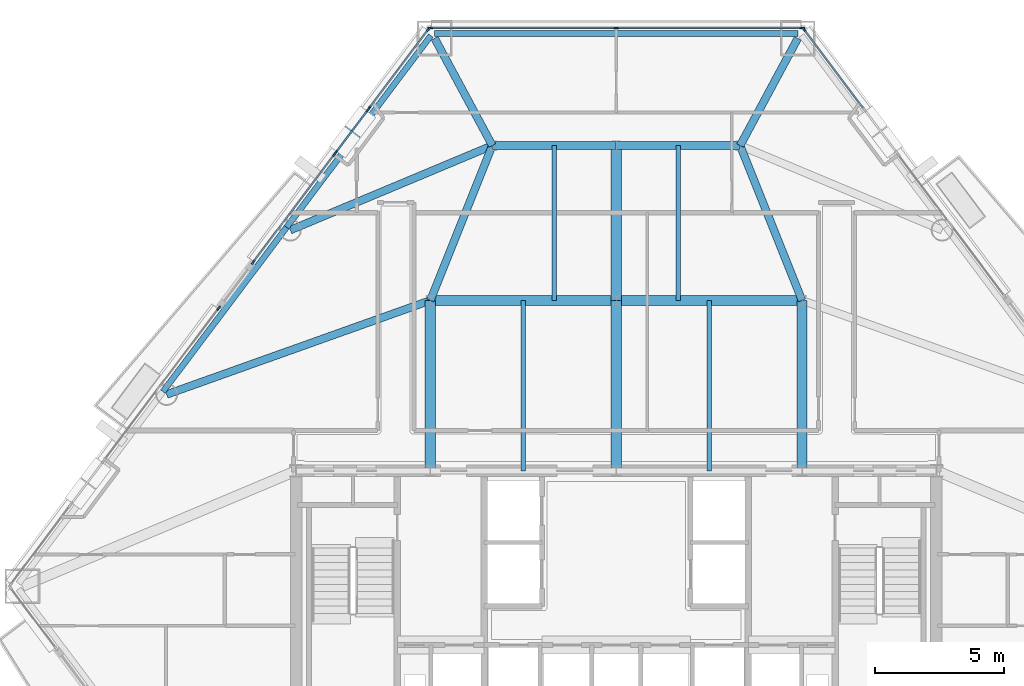
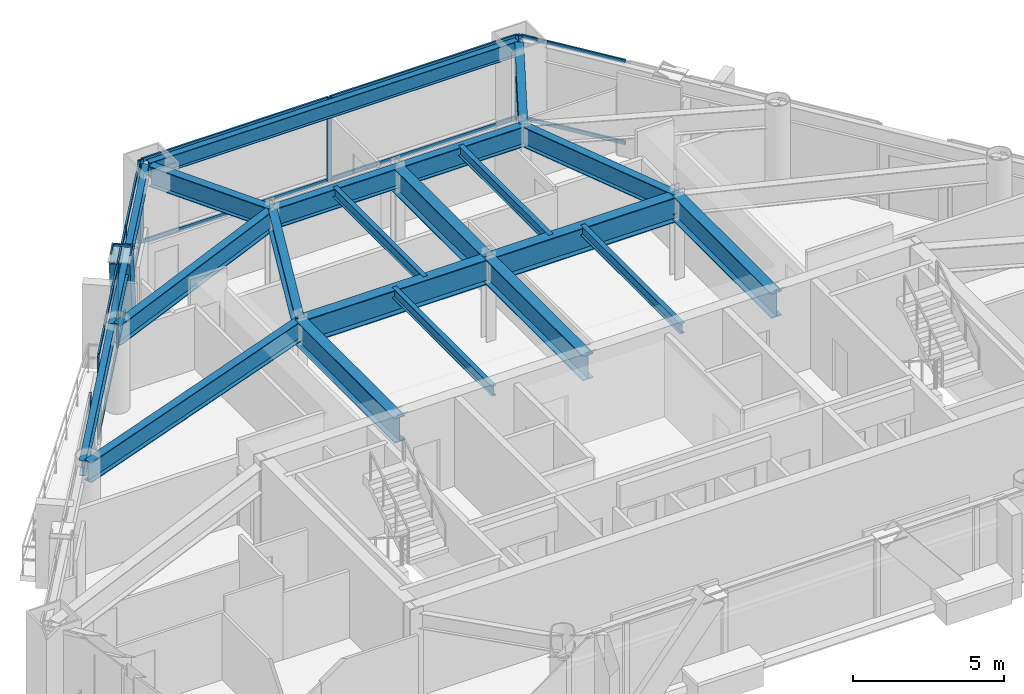
# One storey, part 3 of 11: 24 members, 21 beams, 6 elements without a shape of their own.
"""IFC4 building model written with IfcOpenShell, lengths in metres."""

from ifc_helpers import new_model, si_unit, direction, frame, origin, origin_2d, place, context, subcontext, project, spatial, rectangle, hollow_rectangle, i_section, extrude, material, layer, layer_set, material_profile, profile_set, type_object, element, aggregate, save


model = new_model("IFC4")

# Units and contexts
model_context = context("Model", 3, precision=1e-05, world=origin(), true_north=direction((0.0, 1.0)))
body_context = subcontext(model_context, "Body", "Model", "MODEL_VIEW")
ifc_project = project(units=[si_unit("LENGTHUNIT", "METRE"), si_unit("AREAUNIT", "SQUARE_METRE"), si_unit("VOLUMEUNIT", "CUBIC_METRE"), si_unit("PLANEANGLEUNIT", "RADIAN"), si_unit("MASSUNIT", "GRAM", prefix="KILO")], contexts=[model_context])

# Site, building, storey
site_placement = place(None, origin())
site = spatial("IfcSite", under=ifc_project, at=site_placement, CompositionType="ELEMENT")
building_placement = place(site_placement, origin())
building = spatial("IfcBuilding", under=site, at=building_placement, Name="Talgorran Terracotta Tower", CompositionType="ELEMENT")
storey_placement = place(building_placement, frame((0.0, 0.0, 68.39990234375)))
storey = spatial("IfcBuildingStorey", under=building, at=storey_placement, Name="L17", CompositionType="ELEMENT", Elevation=68.39990234375)

# Beams
ifc_material_1 = material(Name="Steel Grade 350 (350L0)", Category="steel")
ifc_material_profile_1 = material_profile(ifc_material_1, i_section(OverallWidth=0.39990234375, OverallDepth=1.0, WebThickness=0.01611328125, FlangeThickness=0.031005859375, at=origin_2d()), Name="1000WB296")
ifc_profile_set_1 = profile_set([ifc_material_profile_1], Name="Steel Grade 350 (350L0)")
beam_type_1 = type_object("IfcBeamType", Name="BM_1000WB296", PredefinedType="BEAM", material=ifc_profile_set_1)
for number, where, z_axis, x_axis, name in (
    (1, (-7.199951171875, -4.199951171875, 2.85009765625), (0.0, 1.0, 0.0), (-1.0, 0.0, 0.0), "L17 Floor Girder G01"),
    (2, (0.0, -4.199951171875, 2.85009765625), (0.0, 1.0, 0.0), (-1.0, 0.0, 0.0), "L17 Floor Girder G02"),
    (3, (7.199951171875, -4.199951171875, 2.85009765625), (0.0, 1.0, 0.0), (-1.0, 0.0, 0.0), "L17 Floor Girder G03"),
):
    element("IfcBeam", number, at=place(storey_placement, frame(where, z_axis=z_axis, x_axis=x_axis)), inside=storey, type_object=beam_type_1, Name=name, PredefinedType="BEAM", context=body_context, shape_type="SweptSolid", body=[
        extrude(i_section(OverallWidth=0.39990234375, OverallDepth=1.0, WebThickness=0.01611328125, FlangeThickness=0.031005859375, at=origin_2d()), origin(), (0.0, 0.0, 1.0), 6.599853515625),
    ])
for number, where, z_axis, x_axis, name in (
    (4, (-7.199951171875, 2.39990234375, 2.85009765625), (1.0, 0.0, 0.0), (0.0, 1.0, 0.0), "L17 Floor Girder G04"),
    (5, (0.0, 2.39990234375, 2.85009765625), (1.0, 0.0, 0.0), (0.0, 1.0, 0.0), "L17 Floor Girder G05"),
):
    element("IfcBeam", number, at=place(storey_placement, frame(where, z_axis=z_axis, x_axis=x_axis)), inside=storey, type_object=beam_type_1, Name=name, PredefinedType="BEAM", context=body_context, shape_type="SweptSolid", body=[
        extrude(i_section(OverallWidth=0.39990234375, OverallDepth=1.0, WebThickness=0.01611328125, FlangeThickness=0.031005859375, at=origin_2d()), origin(), (0.0, 0.0, 1.0), 7.199951171875),
    ])
beam_1_placement = place(storey_placement, frame((0.0, 2.39990234375, 2.85009765625), z_axis=(0.0, 1.0, 0.0), x_axis=(-1.0, 0.0, 0.0)))
element("IfcBeam", 6, at=beam_1_placement, inside=storey, type_object=beam_type_1, Name="L17 Floor Girder G09", PredefinedType="BEAM", context=body_context, shape_type="SweptSolid", body=[
    extrude(i_section(OverallWidth=0.39990234375, OverallDepth=1.0, WebThickness=0.01611328125, FlangeThickness=0.031005859375, at=origin_2d()), origin(), (0.0, 0.0, 1.0), 6.0),
])
ifc_material_2 = material(Name="Steel S355 (300PLUS)", Category="steel")
ifc_material_profile_2 = material_profile(ifc_material_2, i_section(OverallWidth=0.300048828125, OverallDepth=0.81591796875, WebThickness=0.013916015625, FlangeThickness=0.028076171875, at=origin_2d()), Name="800WB192")
ifc_profile_set_2 = profile_set([ifc_material_profile_2], Name="Steel S355 (300PLUS)")
beam_type_2 = type_object("IfcBeamType", Name="BM_800WB192", PredefinedType="BEAM", material=ifc_profile_set_2)
beam_2_placement = place(storey_placement, frame((-7.199951171875, 2.39990234375, 2.942138671875), z_axis=(-0.941876792617, -0.335958490783, 0.0), x_axis=(0.335958490783, -0.941876792617, 0.0)))
element("IfcBeam", 7, at=beam_2_placement, inside=storey, type_object=beam_type_2, Name="L17 Floor Girder G06", PredefinedType="BEAM", context=body_context, shape_type="SweptSolid", body=[
    extrude(i_section(OverallWidth=0.300048828125, OverallDepth=0.81591796875, WebThickness=0.013916015625, FlangeThickness=0.028076171875, at=origin_2d()), origin(), (0.0, 0.0, 1.0), 10.845947265625),
])
for number, where, z_axis, x_axis, name in (
    (8, (-7.199951171875, 2.39990234375, 2.942138671875), (0.371377648723, 0.928481901832, 0.0), (-0.928481901832, 0.371377648723, 0.0), "L17 Floor Girder G08"),
    (9, (7.199951171875, 2.39990234375, 2.942138671875), (-0.371377648723, 0.928481901832, 0.0), (-0.928481901832, -0.371377648723, 0.0), "L17 Floor Girder G10"),
):
    element("IfcBeam", number, at=place(storey_placement, frame(where, z_axis=z_axis, x_axis=x_axis)), inside=storey, type_object=beam_type_2, Name=name, PredefinedType="BEAM", context=body_context, shape_type="SweptSolid", body=[
        extrude(i_section(OverallWidth=0.300048828125, OverallDepth=0.81591796875, WebThickness=0.013916015625, FlangeThickness=0.028076171875, at=origin_2d()), origin(), (0.0, 0.0, 1.0), 6.462158203125),
    ])
for number, where, z_axis, x_axis, name in (
    (10, (-4.800048828125, 8.39990234375, 2.942138671875), (1.0, 0.0, 0.0), (0.0, 1.0, 0.0), "L17 Floor Girder G11"),
    (11, (0.0, 8.39990234375, 2.942138671875), (1.0, 0.0, 0.0), (0.0, 1.0, 0.0), "L17 Floor Girder G12"),
):
    element("IfcBeam", number, at=place(storey_placement, frame(where, z_axis=z_axis, x_axis=x_axis)), inside=storey, type_object=beam_type_2, Name=name, PredefinedType="BEAM", context=body_context, shape_type="SweptSolid", body=[
        extrude(i_section(OverallWidth=0.300048828125, OverallDepth=0.81591796875, WebThickness=0.013916015625, FlangeThickness=0.028076171875, at=origin_2d()), origin(), (0.0, 0.0, 1.0), 4.800048828125),
    ])
beam_3_placement = place(storey_placement, frame((-4.800048828125, 8.39990234375, 2.942138671875), z_axis=(-0.922404506717, -0.386225227023, 0.0), x_axis=(0.386225227023, -0.922404506717, 0.0)))
element("IfcBeam", 12, at=beam_3_placement, inside=storey, type_object=beam_type_2, Name="L17 Floor Girder G13", PredefinedType="BEAM", context=body_context, shape_type="SweptSolid", body=[
    extrude(i_section(OverallWidth=0.300048828125, OverallDepth=0.81591796875, WebThickness=0.013916015625, FlangeThickness=0.028076171875, at=origin_2d()), origin(), (0.0, 0.0, 1.0), 8.482421875),
])
for number, where, z_axis, x_axis, name in (
    (13, (-4.800048828125, 8.39990234375, 2.942138671875), (-0.473809593846, 0.880627315486, 0.0), (-0.880627315486, -0.473809593846, 0.0), "L17 Floor Girder G15"),
    (14, (4.800048828125, 8.39990234375, 2.942138671875), (0.473809593846, 0.880627315486, 0.0), (-0.880627315486, 0.473809593846, 0.0), "L17 Floor Girder G16"),
):
    element("IfcBeam", number, at=place(storey_placement, frame(where, z_axis=z_axis, x_axis=x_axis)), inside=storey, type_object=beam_type_2, Name=name, PredefinedType="BEAM", context=body_context, shape_type="SweptSolid", body=[
        extrude(i_section(OverallWidth=0.300048828125, OverallDepth=0.81591796875, WebThickness=0.013916015625, FlangeThickness=0.028076171875, at=origin_2d()), origin(), (0.0, 0.0, 1.0), 4.7158203125),
    ])
ifc_material_profile_3 = material_profile(ifc_material_2, i_section(OverallWidth=0.177734375, OverallDepth=0.406494140625, WebThickness=0.0078125, FlangeThickness=0.0126953125, at=origin_2d()), Name="410UB59.7")
ifc_profile_set_3 = profile_set([ifc_material_profile_3], Name="Steel S355 (300PLUS)")
beam_type_3 = type_object("IfcBeamType", Name="BM_JS_410UB60", PredefinedType="JOIST", material=ifc_profile_set_3)
for number, where, z_axis, x_axis, name in (
    (15, (-3.60009765625, -4.199951171875, 3.14697265625), (0.0, 1.0, 0.0), (-1.0, 0.0, 0.0), "L17 Secondary Joist J01"),
    (16, (3.60009765625, -4.199951171875, 3.14697265625), (0.0, 1.0, 0.0), (-1.0, 0.0, 0.0), "L17 Secondary Joist J02"),
):
    element("IfcBeam", number, at=place(storey_placement, frame(where, z_axis=z_axis, x_axis=x_axis)), inside=storey, type_object=beam_type_3, Name=name, PredefinedType="JOIST", context=body_context, shape_type="SweptSolid", body=[
        extrude(i_section(OverallWidth=0.177734375, OverallDepth=0.406494140625, WebThickness=0.0078125, FlangeThickness=0.0126953125, at=origin_2d()), origin(), (0.0, 0.0, 1.0), 6.599853515625),
    ])
for number, where, z_axis, x_axis, name in (
    (17, (-2.39990234375, 2.39990234375, 3.14697265625), (0.0, 1.0, 0.0), (-1.0, 0.0, 0.0), "L17 Secondary Joist J03"),
    (18, (2.39990234375, 2.39990234375, 3.14697265625), (0.0, 1.0, 0.0), (-1.0, 0.0, 0.0), "L17 Secondary Joist J04"),
):
    element("IfcBeam", number, at=place(storey_placement, frame(where, z_axis=z_axis, x_axis=x_axis)), inside=storey, type_object=beam_type_3, Name=name, PredefinedType="JOIST", context=body_context, shape_type="SweptSolid", body=[
        extrude(i_section(OverallWidth=0.177734375, OverallDepth=0.406494140625, WebThickness=0.0078125, FlangeThickness=0.0126953125, at=origin_2d()), origin(), (0.0, 0.0, 1.0), 6.0),
    ])
ifc_material_profile_4 = material_profile(ifc_material_2, i_section(OverallWidth=0.22900390625, OverallDepth=0.611572265625, WebThickness=0.011962890625, FlangeThickness=0.01953125, at=origin_2d()), Name="610UB125")
ifc_profile_set_4 = profile_set([ifc_material_profile_4], Name="Steel S355 (300PLUS)")
beam_type_4 = type_object("IfcBeamType", Name="BM_SP_610UB125", PredefinedType="SPANDREL", material=ifc_profile_set_4)
beam_4_placement = place(storey_placement, frame((7.034423828125, 12.73291015625, 3.044189453125), z_axis=(-1.0, 0.0, 0.0), x_axis=(0.0, -1.0, 0.0)))
element("IfcBeam", 19, at=beam_4_placement, inside=storey, type_object=beam_type_4, Name="L17 Perimeter Spandrel Beam MC5-MC6", PredefinedType="SPANDREL", context=body_context, shape_type="SweptSolid", body=[
    extrude(i_section(OverallWidth=0.22900390625, OverallDepth=0.611572265625, WebThickness=0.011962890625, FlangeThickness=0.01953125, at=origin_2d()), origin(), (0.0, 0.0, 1.0), 14.06884765625),
])
beam_5_placement = place(storey_placement, frame((-7.17822265625, 12.660888671875, 3.044189453125), z_axis=(-0.601247141496, -0.799063123191, 0.0), x_axis=(0.799063123191, -0.601247141496, 0.0)))
element("IfcBeam", 20, at=beam_5_placement, inside=storey, type_object=beam_type_4, Name="L17 Perimeter Spandrel Beam MC6-FC5", PredefinedType="SPANDREL", context=body_context, shape_type="SweptSolid", body=[
    extrude(i_section(OverallWidth=0.22900390625, OverallDepth=0.611572265625, WebThickness=0.011962890625, FlangeThickness=0.01953125, at=origin_2d()), origin(), (0.0, 0.0, 1.0), 9.297119140625),
])
beam_6_placement = place(storey_placement, frame((-12.76806640625, 5.23193359375, 3.044189453125), z_axis=(-0.601259066115, -0.799054150489, 0.0), x_axis=(0.799054150489, -0.601259066115, 0.0)))
element("IfcBeam", 21, at=beam_6_placement, inside=storey, type_object=beam_type_4, Name="L17 Perimeter Spandrel Beam FC5-FC6", PredefinedType="SPANDREL", context=body_context, shape_type="SweptSolid", body=[
    extrude(i_section(OverallWidth=0.22900390625, OverallDepth=0.611572265625, WebThickness=0.011962890625, FlangeThickness=0.01953125, at=origin_2d()), origin(), (0.0, 0.0, 1.0), 7.96875),
])

# Member
ifc_material_profile_5 = material_profile(ifc_material_1, hollow_rectangle(XDim=0.699951171875, YDim=0.89990234375, WallThickness=0.050048828125, at=origin_2d()), Name="WBOX900X700X50")
ifc_profile_set_5 = profile_set([ifc_material_profile_5], Name="Steel Grade 350 (350L0)")
member_type_1 = type_object("IfcMemberType", Name="MB_MEGA_900", PredefinedType="BRACE", material=ifc_profile_set_5)
member_1_placement = place(storey_placement, frame((-9.910400390625, 9.32958984375, -0.02490234375), z_axis=(-0.169547047501, -0.225350829897, 0.959411695857), x_axis=(0.799090303411, -0.601211017027, 0.0)))
element("IfcMember", 22, at=member_1_placement, inside=storey, type_object=member_type_1, Name="L17 Exterior Face Mega-Brace MB-1 (NWU)", PredefinedType="BRACE", context=body_context, shape_type="SweptSolid", body=[
    extrude(hollow_rectangle(XDim=0.699951171875, YDim=0.89990234375, WallThickness=0.050048828125, at=origin_2d()), origin(), (0.0, 0.0, 1.0), 3.543701171875),
])

# Curtain wall, member
ifc_material_3 = material(Name="Unitised Low-E Double Glazing", Category="glass")
ifc_layer = layer(ifc_material_3, 0.199951171875, Name="CW_SYS2_RES_LOW")
ifc_layer_set = layer_set([ifc_layer], Name="Unitised Low-E Double Glazing")
curtain_wall_type = type_object("IfcCurtainWallType", Name="CW_SYS2_RES_LOW", PredefinedType="NOTDEFINED", material=ifc_layer_set)
curtain_wall_1_placement = place(storey_placement, origin())
curtain_wall_1 = element("IfcCurtainWall", 23, at=curtain_wall_1_placement, inside=storey, type_object=curtain_wall_type, Name="CW-L17-F41C", PredefinedType="NOTDEFINED")
ifc_material_4 = material(Name="Architectural Aluminium 6063-T6", Category="aluminium")
ifc_material_profile_6 = material_profile(ifc_material_4, rectangle(XDim=0.06494140625, YDim=0.18505859375, at=origin_2d()), Name="CWM65X185")
ifc_profile_set_6 = profile_set([ifc_material_profile_6], Name="Architectural Aluminium 6063-T6")
member_type_2 = type_object("IfcMemberType", Name="MUL_65X185", PredefinedType="MULLION", material=ifc_profile_set_6)
member_2_placement = place(storey_placement, frame((7.277587890625, 12.894775390625, 0.0), z_axis=(0.0, 0.0, 1.0), x_axis=(-0.799061287146, -0.601249581609, 0.0)))
member_2 = element("IfcMember", 24, at=member_2_placement, type_object=member_type_2, Name="CW-L17-41C mullion 2", PredefinedType="MULLION", context=body_context, shape_type="SweptSolid", body=[
    extrude(rectangle(XDim=0.06494140625, YDim=0.18505859375, at=origin_2d()), origin(), (0.0, 0.0, 1.0), 3.35009765625),
])

# Curtain wall, members
curtain_wall_2_placement = place(storey_placement, origin())
curtain_wall_2 = element("IfcCurtainWall", 25, at=curtain_wall_2_placement, inside=storey, type_object=curtain_wall_type, Name="CW-L17-F4", PredefinedType="NOTDEFINED")
member_3_placement = place(storey_placement, frame((7.20166015625, 12.952880859375, 0.0), z_axis=(0.0, 0.0, 1.0), x_axis=(0.0, -1.0, 0.0)))
member_3 = element("IfcMember", 26, at=member_3_placement, type_object=member_type_2, Name="CW-L17-4 mullion 1", PredefinedType="MULLION", context=body_context, shape_type="SweptSolid", body=[
    extrude(rectangle(XDim=0.06494140625, YDim=0.18505859375, at=origin_2d()), origin(), (0.0, 0.0, 1.0), 3.35009765625),
])
member_4_placement = place(storey_placement, frame((0.0, 12.952880859375, 0.0), z_axis=(0.0, 0.0, 1.0), x_axis=(0.0, -1.0, 0.0)))
member_4 = element("IfcMember", 27, at=member_4_placement, type_object=member_type_2, Name="CW-L17-4 mullion 2", PredefinedType="MULLION", context=body_context, shape_type="SweptSolid", body=[
    extrude(rectangle(XDim=0.06494140625, YDim=0.18505859375, at=origin_2d()), origin(), (0.0, 0.0, 1.0), 3.35009765625),
])
member_5_placement = place(storey_placement, frame((-7.20166015625, 12.952880859375, 0.0), z_axis=(0.0, 0.0, 1.0), x_axis=(0.0, -1.0, 0.0)))
member_5 = element("IfcMember", 28, at=member_5_placement, type_object=member_type_2, Name="CW-L17-4 mullion 3", PredefinedType="MULLION", context=body_context, shape_type="SweptSolid", body=[
    extrude(rectangle(XDim=0.06494140625, YDim=0.18505859375, at=origin_2d()), origin(), (0.0, 0.0, 1.0), 3.35009765625),
])

curtain_wall_3_placement = place(storey_placement, origin())
curtain_wall_3 = element("IfcCurtainWall", 29, at=curtain_wall_3_placement, inside=storey, type_object=curtain_wall_type, Name="CW-L17-F60", PredefinedType="NOTDEFINED")
member_6_placement = place(storey_placement, frame((-7.277587890625, 12.894775390625, 0.0), z_axis=(0.0, 0.0, 1.0), x_axis=(0.799061287146, -0.601249581609, 0.0)))
member_6 = element("IfcMember", 30, at=member_6_placement, type_object=member_type_2, Name="CW-L17-60 mullion 1", PredefinedType="MULLION", context=body_context, shape_type="SweptSolid", body=[
    extrude(rectangle(XDim=0.06494140625, YDim=0.18505859375, at=origin_2d()), origin(), (0.0, 0.0, 1.0), 3.35009765625),
])
member_7_placement = place(storey_placement, frame((-9.56982421875, 9.848388671875, 0.0), z_axis=(0.0, 0.0, 1.0), x_axis=(0.799061287146, -0.601249581609, 0.0)))
member_7 = element("IfcMember", 31, at=member_7_placement, type_object=member_type_2, Name="CW-L17-60 mullion 2", PredefinedType="MULLION", context=body_context, shape_type="SweptSolid", body=[
    extrude(rectangle(XDim=0.06494140625, YDim=0.18505859375, at=origin_2d()), origin(), (0.0, 0.0, 1.0), 3.35009765625),
])

curtain_wall_4_placement = place(storey_placement, origin())
curtain_wall_4 = element("IfcCurtainWall", 32, at=curtain_wall_4_placement, inside=storey, type_object=curtain_wall_type, Name="CW-L17-F60B", PredefinedType="NOTDEFINED")
member_8_placement = place(storey_placement, frame((-9.614990234375, 9.78857421875, 0.0), z_axis=(0.0, 0.0, 1.0), x_axis=(0.79906266779, -0.601247746727, 0.0)))
member_8 = element("IfcMember", 33, at=member_8_placement, type_object=member_type_2, Name="CW-L17-60B mullion 1", PredefinedType="MULLION", context=body_context, shape_type="SweptSolid", body=[
    extrude(rectangle(XDim=0.06494140625, YDim=0.18505859375, at=origin_2d()), origin(), (0.0, 0.0, 1.0), 3.35009765625),
])
member_9_placement = place(storey_placement, frame((-10.870361328125, 8.1201171875, 0.0), z_axis=(0.0, 0.0, 1.0), x_axis=(0.79906266779, -0.601247746727, 0.0)))
member_9 = element("IfcMember", 34, at=member_9_placement, type_object=member_type_2, Name="CW-L17-60B mullion 2", PredefinedType="MULLION", context=body_context, shape_type="SweptSolid", body=[
    extrude(rectangle(XDim=0.06494140625, YDim=0.18505859375, at=origin_2d()), origin(), (0.0, 0.0, 1.0), 3.35009765625),
])

curtain_wall_5_placement = place(storey_placement, origin())
curtain_wall_5 = element("IfcCurtainWall", 35, at=curtain_wall_5_placement, inside=storey, type_object=curtain_wall_type, Name="CW-L17-F60C", PredefinedType="NOTDEFINED")
member_10_placement = place(storey_placement, frame((-10.91552734375, 8.06005859375, 0.0), z_axis=(0.0, 0.0, 1.0), x_axis=(0.799061570677, -0.601249204795, 0.0)))
member_10 = element("IfcMember", 36, at=member_10_placement, type_object=member_type_2, Name="CW-L17-60C mullion 1", PredefinedType="MULLION", context=body_context, shape_type="SweptSolid", body=[
    extrude(rectangle(XDim=0.06494140625, YDim=0.18505859375, at=origin_2d()), origin(), (0.0, 0.0, 1.0), 3.35009765625),
])
member_11_placement = place(storey_placement, frame((-14.062744140625, 3.87744140625, 0.0), z_axis=(0.0, 0.0, 1.0), x_axis=(0.799061570677, -0.601249204795, 0.0)))
member_11 = element("IfcMember", 37, at=member_11_placement, type_object=member_type_2, Name="CW-L17-60C mullion 2", PredefinedType="MULLION", context=body_context, shape_type="SweptSolid", body=[
    extrude(rectangle(XDim=0.06494140625, YDim=0.18505859375, at=origin_2d()), origin(), (0.0, 0.0, 1.0), 3.35009765625),
])

# Curtain wall, member
curtain_wall_6_placement = place(storey_placement, origin())
curtain_wall_6 = element("IfcCurtainWall", 38, at=curtain_wall_6_placement, inside=storey, type_object=curtain_wall_type, Name="CW-L17-F61", PredefinedType="NOTDEFINED")
member_12_placement = place(storey_placement, frame((-15.400390625, 2.099609375, 0.0), z_axis=(0.0, 0.0, 1.0), x_axis=(0.799068241229, -0.601240339514, 0.0)))
member_12 = element("IfcMember", 39, at=member_12_placement, type_object=member_type_2, Name="CW-L17-61 mullion 1", PredefinedType="MULLION", context=body_context, shape_type="SweptSolid", body=[
    extrude(rectangle(XDim=0.06494140625, YDim=0.18505859375, at=origin_2d()), origin(), (0.0, 0.0, 1.0), 3.35009765625),
])
aggregate(curtain_wall_6, [member_12])

# Member
ifc_material_profile_7 = material_profile(ifc_material_4, rectangle(XDim=0.06494140625, YDim=0.14990234375, at=origin_2d()), Name="CWT65X150")
ifc_profile_set_7 = profile_set([ifc_material_profile_7], Name="Architectural Aluminium 6063-T6")
member_type_3 = type_object("IfcMemberType", Name="TRN_65X150", PredefinedType="USERDEFINED", material=ifc_profile_set_7)
member_13_placement = place(storey_placement, frame((9.55029296875, 9.87451171875, 0.03271484375), z_axis=(-0.601260539811, 0.799053041585, 0.0), x_axis=(-0.799053041585, -0.601260539811, 0.0)))
member_13 = element("IfcMember", 40, at=member_13_placement, type_object=member_type_3, Name="CW-L17-41C transom 1.1", ObjectType="TRANSOM", PredefinedType="USERDEFINED", context=body_context, shape_type="SweptSolid", body=[
    extrude(rectangle(XDim=0.06494140625, YDim=0.14990234375, at=origin_2d()), origin(), (0.0, 0.0, 1.0), 3.747314453125),
])

member_14_placement = place(storey_placement, frame((9.55029296875, 9.87451171875, 3.317626953125), z_axis=(-0.601260539811, 0.799053041585, 0.0), x_axis=(-0.799053041585, -0.601260539811, 0.0)))
member_14 = element("IfcMember", 41, at=member_14_placement, type_object=member_type_3, Name="CW-L17-41C transom 1.2", ObjectType="TRANSOM", PredefinedType="USERDEFINED", context=body_context, shape_type="SweptSolid", body=[
    extrude(rectangle(XDim=0.06494140625, YDim=0.14990234375, at=origin_2d()), origin(), (0.0, 0.0, 1.0), 3.747314453125),
])

aggregate(curtain_wall_1, [member_2, member_13, member_14])

member_15_placement = place(storey_placement, frame((7.169189453125, 12.952880859375, 0.03271484375), z_axis=(-1.0, 0.0, 0.0), x_axis=(0.0, -1.0, 0.0)))
member_15 = element("IfcMember", 42, at=member_15_placement, type_object=member_type_3, Name="CW-L17-4 transom 1.1", ObjectType="TRANSOM", PredefinedType="USERDEFINED", context=body_context, shape_type="SweptSolid", body=[
    extrude(rectangle(XDim=0.06494140625, YDim=0.14990234375, at=origin_2d()), origin(), (0.0, 0.0, 1.0), 7.13671875),
])

member_16_placement = place(storey_placement, frame((7.169189453125, 12.952880859375, 3.317626953125), z_axis=(-1.0, 0.0, 0.0), x_axis=(0.0, -1.0, 0.0)))
member_16 = element("IfcMember", 43, at=member_16_placement, type_object=member_type_3, Name="CW-L17-4 transom 1.2", ObjectType="TRANSOM", PredefinedType="USERDEFINED", context=body_context, shape_type="SweptSolid", body=[
    extrude(rectangle(XDim=0.06494140625, YDim=0.14990234375, at=origin_2d()), origin(), (0.0, 0.0, 1.0), 7.13671875),
])

member_17_placement = place(storey_placement, frame((-0.032470703125, 12.952880859375, 0.03271484375), z_axis=(-1.0, 0.0, 0.0), x_axis=(0.0, -1.0, 0.0)))
member_17 = element("IfcMember", 44, at=member_17_placement, type_object=member_type_3, Name="CW-L17-4 transom 2.1", ObjectType="TRANSOM", PredefinedType="USERDEFINED", context=body_context, shape_type="SweptSolid", body=[
    extrude(rectangle(XDim=0.06494140625, YDim=0.14990234375, at=origin_2d()), origin(), (0.0, 0.0, 1.0), 7.13671875),
])

member_18_placement = place(storey_placement, frame((-0.032470703125, 12.952880859375, 3.317626953125), z_axis=(-1.0, 0.0, 0.0), x_axis=(0.0, -1.0, 0.0)))
member_18 = element("IfcMember", 45, at=member_18_placement, type_object=member_type_3, Name="CW-L17-4 transom 2.2", ObjectType="TRANSOM", PredefinedType="USERDEFINED", context=body_context, shape_type="SweptSolid", body=[
    extrude(rectangle(XDim=0.06494140625, YDim=0.14990234375, at=origin_2d()), origin(), (0.0, 0.0, 1.0), 7.13671875),
])

aggregate(curtain_wall_2, [member_3, member_4, member_5, member_15, member_16, member_17, member_18])

member_19_placement = place(storey_placement, frame((-7.297119140625, 12.868896484375, 0.03271484375), z_axis=(-0.601260539811, -0.799053041585, 0.0), x_axis=(0.799053041585, -0.601260539811, 0.0)))
member_19 = element("IfcMember", 46, at=member_19_placement, type_object=member_type_3, Name="CW-L17-60 transom 1.1", ObjectType="TRANSOM", PredefinedType="USERDEFINED", context=body_context, shape_type="SweptSolid", body=[
    extrude(rectangle(XDim=0.06494140625, YDim=0.14990234375, at=origin_2d()), origin(), (0.0, 0.0, 1.0), 3.747314453125),
])

member_20_placement = place(storey_placement, frame((-7.297119140625, 12.868896484375, 3.317626953125), z_axis=(-0.601260539811, -0.799053041585, 0.0), x_axis=(0.799053041585, -0.601260539811, 0.0)))
member_20 = element("IfcMember", 47, at=member_20_placement, type_object=member_type_3, Name="CW-L17-60 transom 1.2", ObjectType="TRANSOM", PredefinedType="USERDEFINED", context=body_context, shape_type="SweptSolid", body=[
    extrude(rectangle(XDim=0.06494140625, YDim=0.14990234375, at=origin_2d()), origin(), (0.0, 0.0, 1.0), 3.747314453125),
])

aggregate(curtain_wall_3, [member_6, member_7, member_19, member_20])

member_21_placement = place(storey_placement, frame((-9.634521484375, 9.762451171875, 0.03271484375), z_axis=(-0.601254389145, -0.799057669717, 0.0), x_axis=(0.799057669717, -0.601254389145, 0.0)))
member_21 = element("IfcMember", 48, at=member_21_placement, type_object=member_type_3, Name="CW-L17-60B transom 1.1", ObjectType="TRANSOM", PredefinedType="USERDEFINED", context=body_context, shape_type="SweptSolid", body=[
    extrude(rectangle(XDim=0.06494140625, YDim=0.14990234375, at=origin_2d()), origin(), (0.0, 0.0, 1.0), 2.02294921875),
])

member_22_placement = place(storey_placement, frame((-9.634521484375, 9.762451171875, 3.317626953125), z_axis=(-0.601254389145, -0.799057669717, 0.0), x_axis=(0.799057669717, -0.601254389145, 0.0)))
member_22 = element("IfcMember", 49, at=member_22_placement, type_object=member_type_3, Name="CW-L17-60B transom 1.2", ObjectType="TRANSOM", PredefinedType="USERDEFINED", context=body_context, shape_type="SweptSolid", body=[
    extrude(rectangle(XDim=0.06494140625, YDim=0.14990234375, at=origin_2d()), origin(), (0.0, 0.0, 1.0), 2.02294921875),
])

aggregate(curtain_wall_4, [member_8, member_9, member_21, member_22])

member_23_placement = place(storey_placement, frame((-10.93505859375, 8.0341796875, 0.03271484375), z_axis=(-0.601238499246, -0.799069625893, 0.0), x_axis=(0.799069625893, -0.601238499246, 0.0)))
member_23 = element("IfcMember", 50, at=member_23_placement, type_object=member_type_3, Name="CW-L17-60C transom 1.1", ObjectType="TRANSOM", PredefinedType="USERDEFINED", context=body_context, shape_type="SweptSolid", body=[
    extrude(rectangle(XDim=0.06494140625, YDim=0.14990234375, at=origin_2d()), origin(), (0.0, 0.0, 1.0), 5.169677734375),
])

member_24_placement = place(storey_placement, frame((-10.93505859375, 8.0341796875, 3.317626953125), z_axis=(-0.601238499246, -0.799069625893, 0.0), x_axis=(0.799069625893, -0.601238499246, 0.0)))
member_24 = element("IfcMember", 51, at=member_24_placement, type_object=member_type_3, Name="CW-L17-60C transom 1.2", ObjectType="TRANSOM", PredefinedType="USERDEFINED", context=body_context, shape_type="SweptSolid", body=[
    extrude(rectangle(XDim=0.06494140625, YDim=0.14990234375, at=origin_2d()), origin(), (0.0, 0.0, 1.0), 5.169677734375),
])

aggregate(curtain_wall_5, [member_10, member_11, member_23, member_24])

save(model, "model.ifc")
